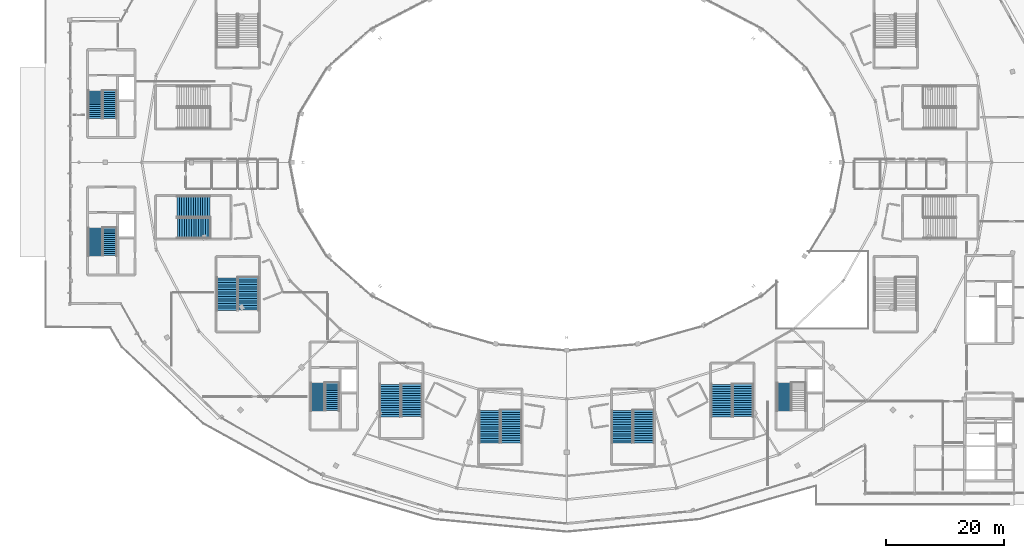
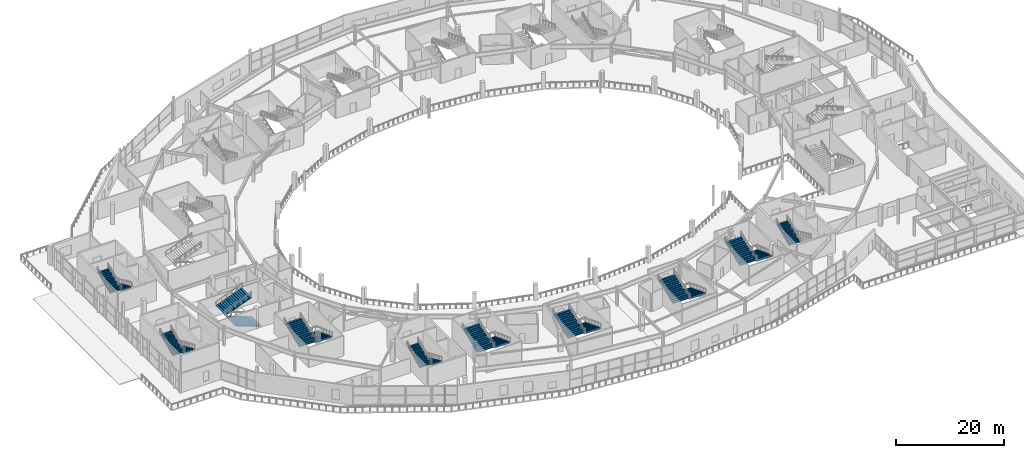
# One storey, part 95 of 123: 19 stair flights, 10 elements without a shape of their own.
"""IFC4 building model written with IfcOpenShell, lengths in metres."""

from ifc_helpers import new_model, si_unit, direction, frame, origin, place, context, subcontext, project, spatial, polyline, outline, extrude, material, type_object, element, aggregate, save


model = new_model("IFC4")

# Units and contexts
model_context = context("Model", 3, precision=1e-05, world=origin(), true_north=direction((0.0, 1.0)))
body_context = subcontext(model_context, "Body", "Model", "MODEL_VIEW")
ifc_project = project(units=[si_unit("LENGTHUNIT", "METRE"), si_unit("AREAUNIT", "SQUARE_METRE"), si_unit("VOLUMEUNIT", "CUBIC_METRE"), si_unit("PLANEANGLEUNIT", "RADIAN"), si_unit("MASSUNIT", "GRAM", prefix="KILO")], contexts=[model_context])

# Site, building, storey
site_placement = place(None, origin())
site = spatial("IfcSite", under=ifc_project, at=site_placement, CompositionType="ELEMENT")
building_placement = place(site_placement, origin())
building = spatial("IfcBuilding", under=site, at=building_placement, Name="Kalgoora Escarpment Arena", CompositionType="ELEMENT")
storey_placement = place(building_placement, frame((0.0, 0.0, 9.89990234375)))
storey = spatial("IfcBuildingStorey", under=building, at=storey_placement, Name="L02", CompositionType="ELEMENT", Elevation=9.89990234375)

# Stair, stair flights
ifc_material_1 = material(Name="Concrete N40 (fc' 40 MPa)", Category="concrete")
stair_type_1 = type_object("IfcStairType", Name="STR-EXIT-1", PredefinedType="HALF_TURN_STAIR", material=ifc_material_1)
stair_1_placement = place(storey_placement, origin())
stair_1 = element("IfcStair", 1, at=stair_1_placement, inside=storey, type_object=stair_type_1, Name="Fire-isolated exit stair ST01 (L02)", PredefinedType="HALF_TURN_STAIR")
ifc_material_2 = material(Name="Concrete N40 (fc' 40 MPa)", Category="concrete")
stair_flight_type_1 = type_object("IfcStairFlightType", Name="FLT-EXIT-1", PredefinedType="STRAIGHT", material=ifc_material_2)
stair_flight_1_placement = place(storey_placement, frame((15.159912109375, 76.1298828125, 0.0), z_axis=(0.0, 0.0, 1.0), x_axis=(0.0, -1.0, 0.0)))
stair_flight_1 = element("IfcStairFlight", 2, at=stair_flight_1_placement, type_object=stair_flight_type_1, Name="ST01 L02 lower flight", NumberOfRisers=15, NumberOfTreads=14, PredefinedType="STRAIGHT", RiserHeight=0.15, TreadLength=0.335, context=body_context, shape_type="SweptSolid", body=[
    extrude(outline(polyline([(0.0, 0.0), (0.0, 0.14990234375), (0.3349609375, 0.14990234375), (0.3349609375, 0.300048828125), (0.669921875, 0.300048828125), (0.669921875, 0.449951171875), (1.0048828125, 0.449951171875), (1.0048828125, 0.60009765625), (1.340087890625, 0.60009765625), (1.340087890625, 0.75), (1.675048828125, 0.75), (1.675048828125, 0.89990234375), (2.010009765625, 0.89990234375), (2.010009765625, 1.050048828125), (2.344970703125, 1.050048828125), (2.344970703125, 1.199951171875), (2.679931640625, 1.199951171875), (2.679931640625, 1.35009765625), (3.014892578125, 1.35009765625), (3.014892578125, 1.5), (3.35009765625, 1.5), (3.35009765625, 1.64990234375), (3.68505859375, 1.64990234375), (3.68505859375, 1.800048828125), (4.02001953125, 1.800048828125), (4.02001953125, 1.949951171875), (4.35498046875, 1.949951171875), (4.35498046875, 2.10009765625), (4.68994140625, 2.10009765625), (4.68994140625, 2.25), (4.68994140625, 1.913818359375), (0.415771484375, 0.0), (0.0, 0.0)])), frame((0.0, 1.18994140625, 0.0), z_axis=(0.0, -1.0, 0.0), x_axis=(1.0, 0.0, 0.0)), (0.0, 0.0, 1.0), 2.3798828125),
])
stair_flight_2_placement = place(storey_placement, frame((12.739990234375, 71.3798828125, 2.25), z_axis=(0.0, 0.0, 1.0), x_axis=(0.0, 1.0, 0.0)))
stair_flight_2 = element("IfcStairFlight", 3, at=stair_flight_2_placement, type_object=stair_flight_type_1, Name="ST01 L02 upper flight", NumberOfRisers=15, NumberOfTreads=14, PredefinedType="STRAIGHT", RiserHeight=0.15, TreadLength=0.335, context=body_context, shape_type="SweptSolid", body=[
    extrude(outline(polyline([(0.0, 0.0), (0.0, 0.14990234375), (0.3349609375, 0.14990234375), (0.3349609375, 0.300048828125), (0.669921875, 0.300048828125), (0.669921875, 0.449951171875), (1.0048828125, 0.449951171875), (1.0048828125, 0.60009765625), (1.340087890625, 0.60009765625), (1.340087890625, 0.75), (1.675048828125, 0.75), (1.675048828125, 0.89990234375), (2.010009765625, 0.89990234375), (2.010009765625, 1.050048828125), (2.344970703125, 1.050048828125), (2.344970703125, 1.199951171875), (2.679931640625, 1.199951171875), (2.679931640625, 1.35009765625), (3.014892578125, 1.35009765625), (3.014892578125, 1.5), (3.35009765625, 1.5), (3.35009765625, 1.64990234375), (3.68505859375, 1.64990234375), (3.68505859375, 1.800048828125), (4.02001953125, 1.800048828125), (4.02001953125, 1.949951171875), (4.35498046875, 1.949951171875), (4.35498046875, 2.10009765625), (4.68994140625, 2.10009765625), (4.68994140625, 2.25), (4.68994140625, 1.913818359375), (0.415771484375, 0.0), (0.0, 0.0)])), frame((0.0, 1.18994140625, 0.0), z_axis=(0.0, -1.0, 0.0), x_axis=(1.0, 0.0, 0.0)), (0.0, 0.0, 1.0), 2.3798828125),
])
aggregate(stair_1, [stair_flight_1, stair_flight_2])

stair_2_placement = place(storey_placement, origin())
stair_2 = element("IfcStair", 4, at=stair_2_placement, inside=storey, type_object=stair_type_1, Name="Fire-isolated exit stair ST05 (L02)", PredefinedType="HALF_TURN_STAIR")
stair_flight_3_placement = place(storey_placement, frame((52.760009765625, 26.72998046875, 0.0), z_axis=(0.0, 0.0, 1.0), x_axis=(0.0, -1.0, 0.0)))
stair_flight_3 = element("IfcStairFlight", 5, at=stair_flight_3_placement, type_object=stair_flight_type_1, Name="ST05 L02 lower flight", NumberOfRisers=15, NumberOfTreads=14, PredefinedType="STRAIGHT", RiserHeight=0.15, TreadLength=0.335, context=body_context, shape_type="SweptSolid", body=[
    extrude(outline(polyline([(0.0, 0.0), (0.0, 0.14990234375), (0.3349609375, 0.14990234375), (0.3349609375, 0.300048828125), (0.669921875, 0.300048828125), (0.669921875, 0.449951171875), (1.0048828125, 0.449951171875), (1.0048828125, 0.60009765625), (1.340087890625, 0.60009765625), (1.340087890625, 0.75), (1.675048828125, 0.75), (1.675048828125, 0.89990234375), (2.010009765625, 0.89990234375), (2.010009765625, 1.050048828125), (2.344970703125, 1.050048828125), (2.344970703125, 1.199951171875), (2.679931640625, 1.199951171875), (2.679931640625, 1.35009765625), (3.014892578125, 1.35009765625), (3.014892578125, 1.5), (3.35009765625, 1.5), (3.35009765625, 1.64990234375), (3.68505859375, 1.64990234375), (3.68505859375, 1.800048828125), (4.02001953125, 1.800048828125), (4.02001953125, 1.949951171875), (4.35498046875, 1.949951171875), (4.35498046875, 2.10009765625), (4.68994140625, 2.10009765625), (4.68994140625, 2.25), (4.68994140625, 1.913818359375), (0.415771484375, 0.0), (0.0, 0.0)])), frame((0.0, 1.18994140625, 0.0), z_axis=(0.0, -1.0, 0.0), x_axis=(1.0, 0.0, 0.0)), (0.0, 0.0, 1.0), 2.3798828125),
])
stair_flight_4_placement = place(storey_placement, frame((50.340087890625, 21.97998046875, 2.25), z_axis=(0.0, 0.0, 1.0), x_axis=(0.0, 1.0, 0.0)))
stair_flight_4 = element("IfcStairFlight", 6, at=stair_flight_4_placement, type_object=stair_flight_type_1, Name="ST05 L02 upper flight", NumberOfRisers=15, NumberOfTreads=14, PredefinedType="STRAIGHT", RiserHeight=0.15, TreadLength=0.335, context=body_context, shape_type="SweptSolid", body=[
    extrude(outline(polyline([(0.0, 0.0), (0.0, 0.14990234375), (0.3349609375, 0.14990234375), (0.3349609375, 0.300048828125), (0.669921875, 0.300048828125), (0.669921875, 0.449951171875), (1.0048828125, 0.449951171875), (1.0048828125, 0.60009765625), (1.340087890625, 0.60009765625), (1.340087890625, 0.75), (1.675048828125, 0.75), (1.675048828125, 0.89990234375), (2.010009765625, 0.89990234375), (2.010009765625, 1.050048828125), (2.344970703125, 1.050048828125), (2.344970703125, 1.199951171875), (2.679931640625, 1.199951171875), (2.679931640625, 1.35009765625), (3.014892578125, 1.35009765625), (3.014892578125, 1.5), (3.35009765625, 1.5), (3.35009765625, 1.64990234375), (3.68505859375, 1.64990234375), (3.68505859375, 1.800048828125), (4.02001953125, 1.800048828125), (4.02001953125, 1.949951171875), (4.35498046875, 1.949951171875), (4.35498046875, 2.10009765625), (4.68994140625, 2.10009765625), (4.68994140625, 2.25), (4.68994140625, 1.913818359375), (0.415771484375, 0.0), (0.0, 0.0)])), frame((0.0, 1.18994140625, 0.0), z_axis=(0.0, -1.0, 0.0), x_axis=(1.0, 0.0, 0.0)), (0.0, 0.0, 1.0), 2.3798828125),
])
aggregate(stair_2, [stair_flight_3, stair_flight_4])

ifc_material_3 = material(Name="Concrete N40 (fc' 40 MPa)", Category="concrete")
stair_type_2 = type_object("IfcStairType", Name="STR-EXIT-2", PredefinedType="HALF_TURN_STAIR", material=ifc_material_3)
stair_3_placement = place(storey_placement, origin())
stair_3 = element("IfcStair", 7, at=stair_3_placement, inside=storey, type_object=stair_type_2, Name="Fire-isolated exit stair ST02 (L02)", PredefinedType="HALF_TURN_STAIR")
ifc_material_4 = material(Name="Concrete N40 (fc' 40 MPa)", Category="concrete")
stair_flight_type_2 = type_object("IfcStairFlightType", Name="FLT-EXIT-2", PredefinedType="STRAIGHT", material=ifc_material_4)
stair_flight_5_placement = place(storey_placement, frame((15.157470703125, 52.929931640625, 0.0), z_axis=(0.0, 0.0, 1.0), x_axis=(0.0, -1.0, 0.0)))
stair_flight_5 = element("IfcStairFlight", 8, at=stair_flight_5_placement, type_object=stair_flight_type_2, Name="ST02 L02 lower flight", NumberOfRisers=15, NumberOfTreads=14, PredefinedType="STRAIGHT", RiserHeight=0.15, TreadLength=0.335, context=body_context, shape_type="SweptSolid", body=[
    extrude(outline(polyline([(0.0, 0.0), (0.0, 0.14990234375), (0.3349609375, 0.14990234375), (0.3349609375, 0.300048828125), (0.669921875, 0.300048828125), (0.669921875, 0.449951171875), (1.0048828125, 0.449951171875), (1.0048828125, 0.60009765625), (1.340087890625, 0.60009765625), (1.340087890625, 0.75), (1.675048828125, 0.75), (1.675048828125, 0.89990234375), (2.010009765625, 0.89990234375), (2.010009765625, 1.050048828125), (2.344970703125, 1.050048828125), (2.344970703125, 1.199951171875), (2.679931640625, 1.199951171875), (2.679931640625, 1.35009765625), (3.014892578125, 1.35009765625), (3.014892578125, 1.5), (3.35009765625, 1.5), (3.35009765625, 1.64990234375), (3.68505859375, 1.64990234375), (3.68505859375, 1.800048828125), (4.02001953125, 1.800048828125), (4.02001953125, 1.949951171875), (4.35498046875, 1.949951171875), (4.35498046875, 2.10009765625), (4.68994140625, 2.10009765625), (4.68994140625, 2.25), (4.68994140625, 1.913818359375), (0.415771484375, 0.0), (0.0, 0.0)])), frame((0.0, 1.1923828125, 0.0), z_axis=(0.0, -1.0, 0.0), x_axis=(1.0, 0.0, 0.0)), (0.0, 0.0, 1.0), 2.385009765625),
])
stair_flight_6_placement = place(storey_placement, frame((12.742431640625, 48.179931640625, 2.25), z_axis=(0.0, 0.0, 1.0), x_axis=(0.0, 1.0, 0.0)))
stair_flight_6 = element("IfcStairFlight", 9, at=stair_flight_6_placement, type_object=stair_flight_type_2, Name="ST02 L02 upper flight", NumberOfRisers=15, NumberOfTreads=14, PredefinedType="STRAIGHT", RiserHeight=0.15, TreadLength=0.335, context=body_context, shape_type="SweptSolid", body=[
    extrude(outline(polyline([(0.0, 0.0), (0.0, 0.14990234375), (0.3349609375, 0.14990234375), (0.3349609375, 0.300048828125), (0.669921875, 0.300048828125), (0.669921875, 0.449951171875), (1.0048828125, 0.449951171875), (1.0048828125, 0.60009765625), (1.340087890625, 0.60009765625), (1.340087890625, 0.75), (1.675048828125, 0.75), (1.675048828125, 0.89990234375), (2.010009765625, 0.89990234375), (2.010009765625, 1.050048828125), (2.344970703125, 1.050048828125), (2.344970703125, 1.199951171875), (2.679931640625, 1.199951171875), (2.679931640625, 1.35009765625), (3.014892578125, 1.35009765625), (3.014892578125, 1.5), (3.35009765625, 1.5), (3.35009765625, 1.64990234375), (3.68505859375, 1.64990234375), (3.68505859375, 1.800048828125), (4.02001953125, 1.800048828125), (4.02001953125, 1.949951171875), (4.35498046875, 1.949951171875), (4.35498046875, 2.10009765625), (4.68994140625, 2.10009765625), (4.68994140625, 2.25), (4.68994140625, 1.913818359375), (0.415771484375, 0.0), (0.0, 0.0)])), frame((0.0, 1.1923828125, 0.0), z_axis=(0.0, -1.0, 0.0), x_axis=(1.0, 0.0, 0.0)), (0.0, 0.0, 1.0), 2.385009765625),
])
aggregate(stair_3, [stair_flight_5, stair_flight_6])

# Stair, stair flight
stair_4_placement = place(storey_placement, origin())
stair_4 = element("IfcStair", 10, at=stair_4_placement, inside=storey, type_object=stair_type_2, Name="Fire-isolated exit stair ST06 (L02)", PredefinedType="HALF_TURN_STAIR")
stair_flight_7_placement = place(storey_placement, frame((129.142578125, 21.97998046875, 2.25), z_axis=(0.0, 0.0, 1.0), x_axis=(0.0, 1.0, 0.0)))
stair_flight_7 = element("IfcStairFlight", 11, at=stair_flight_7_placement, type_object=stair_flight_type_2, Name="ST06 L02 upper flight", NumberOfRisers=15, NumberOfTreads=14, PredefinedType="STRAIGHT", RiserHeight=0.15, TreadLength=0.335, context=body_context, shape_type="SweptSolid", body=[
    extrude(outline(polyline([(0.0, 0.0), (0.0, 0.14990234375), (0.3349609375, 0.14990234375), (0.3349609375, 0.300048828125), (0.669921875, 0.300048828125), (0.669921875, 0.449951171875), (1.0048828125, 0.449951171875), (1.0048828125, 0.60009765625), (1.340087890625, 0.60009765625), (1.340087890625, 0.75), (1.675048828125, 0.75), (1.675048828125, 0.89990234375), (2.010009765625, 0.89990234375), (2.010009765625, 1.050048828125), (2.344970703125, 1.050048828125), (2.344970703125, 1.199951171875), (2.679931640625, 1.199951171875), (2.679931640625, 1.35009765625), (3.014892578125, 1.35009765625), (3.014892578125, 1.5), (3.35009765625, 1.5), (3.35009765625, 1.64990234375), (3.68505859375, 1.64990234375), (3.68505859375, 1.800048828125), (4.02001953125, 1.800048828125), (4.02001953125, 1.949951171875), (4.35498046875, 1.949951171875), (4.35498046875, 2.10009765625), (4.68994140625, 2.10009765625), (4.68994140625, 2.25), (4.68994140625, 1.913818359375), (0.415771484375, 0.0), (0.0, 0.0)])), frame((0.0, 1.1923828125, 0.0), z_axis=(0.0, -1.0, 0.0), x_axis=(1.0, 0.0, 0.0)), (0.0, 0.0, 1.0), 2.385009765625),
])
aggregate(stair_4, [stair_flight_7])

# Stair, stair flights
ifc_material_5 = material(Name="Precast concrete N50 (fc' 50 MPa)", Category="concrete")
stair_type_3 = type_object("IfcStairType", Name="STR-STAD-1", PredefinedType="HALF_TURN_STAIR", material=ifc_material_5)
stair_5_placement = place(storey_placement, origin())
stair_5 = element("IfcStair", 12, at=stair_5_placement, inside=storey, type_object=stair_type_3, Name="Fire-isolated exit stair ST13 (L02)", PredefinedType="HALF_TURN_STAIR")
ifc_material_6 = material(Name="Precast concrete N50 (fc' 50 MPa)", Category="concrete")
stair_flight_type_3 = type_object("IfcStairFlightType", Name="FLT-STAD-1", PredefinedType="STRAIGHT", material=ifc_material_6)
stair_flight_8_placement = place(storey_placement, frame((66.20751953125, 26.530029296875, 0.0), z_axis=(0.0, 0.0, 1.0), x_axis=(0.0, -1.0, 0.0)))
stair_flight_8 = element("IfcStairFlight", 13, at=stair_flight_8_placement, type_object=stair_flight_type_3, Name="ST13 L02 lower flight", NumberOfRisers=15, NumberOfTreads=14, PredefinedType="STRAIGHT", RiserHeight=0.15, TreadLength=0.395, context=body_context, shape_type="SweptSolid", body=[
    extrude(outline(polyline([(0.0, 0.0), (0.0, 0.14990234375), (0.39501953125, 0.14990234375), (0.39501953125, 0.300048828125), (0.7900390625, 0.300048828125), (0.7900390625, 0.449951171875), (1.18505859375, 0.449951171875), (1.18505859375, 0.60009765625), (1.580078125, 0.60009765625), (1.580078125, 0.75), (1.97509765625, 0.75), (1.97509765625, 0.89990234375), (2.3701171875, 0.89990234375), (2.3701171875, 1.050048828125), (2.764892578125, 1.050048828125), (2.764892578125, 1.199951171875), (3.159912109375, 1.199951171875), (3.159912109375, 1.35009765625), (3.554931640625, 1.35009765625), (3.554931640625, 1.5), (3.949951171875, 1.5), (3.949951171875, 1.64990234375), (4.344970703125, 1.64990234375), (4.344970703125, 1.800048828125), (4.739990234375, 1.800048828125), (4.739990234375, 1.949951171875), (5.135009765625, 1.949951171875), (5.135009765625, 2.10009765625), (5.530029296875, 2.10009765625), (5.530029296875, 2.25), (5.530029296875, 1.918212890625), (0.478759765625, 0.0), (0.0, 0.0)])), frame((0.0, 1.74267578125, 0.0), z_axis=(0.0, -1.0, 0.0), x_axis=(1.0, 0.0, 0.0)), (0.0, 0.0, 1.0), 3.485107421875),
])
stair_flight_9_placement = place(storey_placement, frame((62.592529296875, 20.93994140625, 2.25), z_axis=(0.0, 0.0, 1.0), x_axis=(0.0, 1.0, 0.0)))
stair_flight_9 = element("IfcStairFlight", 14, at=stair_flight_9_placement, type_object=stair_flight_type_3, Name="ST13 L02 upper flight", NumberOfRisers=15, NumberOfTreads=14, PredefinedType="STRAIGHT", RiserHeight=0.15, TreadLength=0.395, context=body_context, shape_type="SweptSolid", body=[
    extrude(outline(polyline([(0.0, 0.0), (0.0, 0.14990234375), (0.39501953125, 0.14990234375), (0.39501953125, 0.300048828125), (0.7900390625, 0.300048828125), (0.7900390625, 0.449951171875), (1.18505859375, 0.449951171875), (1.18505859375, 0.60009765625), (1.580078125, 0.60009765625), (1.580078125, 0.75), (1.97509765625, 0.75), (1.97509765625, 0.89990234375), (2.3701171875, 0.89990234375), (2.3701171875, 1.050048828125), (2.764892578125, 1.050048828125), (2.764892578125, 1.199951171875), (3.159912109375, 1.199951171875), (3.159912109375, 1.35009765625), (3.554931640625, 1.35009765625), (3.554931640625, 1.5), (3.949951171875, 1.5), (3.949951171875, 1.64990234375), (4.344970703125, 1.64990234375), (4.344970703125, 1.800048828125), (4.739990234375, 1.800048828125), (4.739990234375, 1.949951171875), (5.135009765625, 1.949951171875), (5.135009765625, 2.10009765625), (5.530029296875, 2.10009765625), (5.530029296875, 2.25), (5.530029296875, 1.918212890625), (0.478759765625, 0.0), (0.0, 0.0)])), frame((0.0, 1.74267578125, 0.0), z_axis=(0.0, -1.0, 0.0), x_axis=(1.0, 0.0, 0.0)), (0.0, 0.0, 1.0), 3.485107421875),
])
aggregate(stair_5, [stair_flight_8, stair_flight_9])

ifc_material_7 = material(Name="Precast concrete N50 (fc' 50 MPa)", Category="concrete")
stair_type_4 = type_object("IfcStairType", Name="STR-STAD-2", PredefinedType="HALF_TURN_STAIR", material=ifc_material_7)
stair_6_placement = place(storey_placement, origin())
stair_6 = element("IfcStair", 15, at=stair_6_placement, inside=storey, type_object=stair_type_4, Name="Fire-isolated exit stair ST14 (L02)", PredefinedType="HALF_TURN_STAIR")
ifc_material_8 = material(Name="Precast concrete N50 (fc' 50 MPa)", Category="concrete")
stair_flight_type_4 = type_object("IfcStairFlightType", Name="FLT-STAD-2", PredefinedType="STRAIGHT", material=ifc_material_8)
stair_flight_10_placement = place(storey_placement, frame((83.0048828125, 22.1298828125, 0.0), z_axis=(0.0, 0.0, 1.0), x_axis=(0.0, -1.0, 0.0)))
stair_flight_10 = element("IfcStairFlight", 16, at=stair_flight_10_placement, type_object=stair_flight_type_4, Name="ST14 L02 lower flight", NumberOfRisers=15, NumberOfTreads=14, PredefinedType="STRAIGHT", RiserHeight=0.15, TreadLength=0.395, context=body_context, shape_type="SweptSolid", body=[
    extrude(outline(polyline([(0.0, 0.0), (0.0, 0.14990234375), (0.39501953125, 0.14990234375), (0.39501953125, 0.300048828125), (0.7900390625, 0.300048828125), (0.7900390625, 0.449951171875), (1.18505859375, 0.449951171875), (1.18505859375, 0.60009765625), (1.580078125, 0.60009765625), (1.580078125, 0.75), (1.97509765625, 0.75), (1.97509765625, 0.89990234375), (2.3701171875, 0.89990234375), (2.3701171875, 1.050048828125), (2.764892578125, 1.050048828125), (2.764892578125, 1.199951171875), (3.159912109375, 1.199951171875), (3.159912109375, 1.35009765625), (3.554931640625, 1.35009765625), (3.554931640625, 1.5), (3.949951171875, 1.5), (3.949951171875, 1.64990234375), (4.344970703125, 1.64990234375), (4.344970703125, 1.800048828125), (4.739990234375, 1.800048828125), (4.739990234375, 1.949951171875), (5.135009765625, 1.949951171875), (5.135009765625, 2.10009765625), (5.530029296875, 2.10009765625), (5.530029296875, 2.25), (5.530029296875, 1.918212890625), (0.478759765625, 0.0), (0.0, 0.0)])), frame((0.0, 1.7451171875, 0.0), z_axis=(0.0, -1.0, 0.0), x_axis=(1.0, 0.0, 0.0)), (0.0, 0.0, 1.0), 3.489990234375),
])
stair_flight_11_placement = place(storey_placement, frame((79.39501953125, 16.5400390625, 2.25), z_axis=(0.0, 0.0, 1.0), x_axis=(0.0, 1.0, 0.0)))
stair_flight_11 = element("IfcStairFlight", 17, at=stair_flight_11_placement, type_object=stair_flight_type_4, Name="ST14 L02 upper flight", NumberOfRisers=15, NumberOfTreads=14, PredefinedType="STRAIGHT", RiserHeight=0.15, TreadLength=0.395, context=body_context, shape_type="SweptSolid", body=[
    extrude(outline(polyline([(0.0, 0.0), (0.0, 0.14990234375), (0.39501953125, 0.14990234375), (0.39501953125, 0.300048828125), (0.7900390625, 0.300048828125), (0.7900390625, 0.449951171875), (1.18505859375, 0.449951171875), (1.18505859375, 0.60009765625), (1.580078125, 0.60009765625), (1.580078125, 0.75), (1.97509765625, 0.75), (1.97509765625, 0.89990234375), (2.3701171875, 0.89990234375), (2.3701171875, 1.050048828125), (2.764892578125, 1.050048828125), (2.764892578125, 1.199951171875), (3.159912109375, 1.199951171875), (3.159912109375, 1.35009765625), (3.554931640625, 1.35009765625), (3.554931640625, 1.5), (3.949951171875, 1.5), (3.949951171875, 1.64990234375), (4.344970703125, 1.64990234375), (4.344970703125, 1.800048828125), (4.739990234375, 1.800048828125), (4.739990234375, 1.949951171875), (5.135009765625, 1.949951171875), (5.135009765625, 2.10009765625), (5.530029296875, 2.10009765625), (5.530029296875, 2.25), (5.530029296875, 1.918212890625), (0.478759765625, 0.0), (0.0, 0.0)])), frame((0.0, 1.7451171875, 0.0), z_axis=(0.0, -1.0, 0.0), x_axis=(1.0, 0.0, 0.0)), (0.0, 0.0, 1.0), 3.489990234375),
])
aggregate(stair_6, [stair_flight_10, stair_flight_11])

stair_7_placement = place(storey_placement, origin())
stair_7 = element("IfcStair", 18, at=stair_7_placement, inside=storey, type_object=stair_type_4, Name="Fire-isolated exit stair ST18 (L02)", PredefinedType="HALF_TURN_STAIR")
stair_flight_12_placement = place(storey_placement, frame((32.1298828125, 52.89501953125, 0.0), z_axis=(0.0, 0.0, 1.0), x_axis=(-1.0, 0.0, 0.0)))
stair_flight_12 = element("IfcStairFlight", 19, at=stair_flight_12_placement, type_object=stair_flight_type_4, Name="ST18 L02 lower flight", NumberOfRisers=15, NumberOfTreads=14, PredefinedType="STRAIGHT", RiserHeight=0.15, TreadLength=0.395, context=body_context, shape_type="SweptSolid", body=[
    extrude(outline(polyline([(0.0, 0.0), (0.0, 0.14990234375), (0.39501953125, 0.14990234375), (0.39501953125, 0.300048828125), (0.7900390625, 0.300048828125), (0.7900390625, 0.449951171875), (1.18505859375, 0.449951171875), (1.18505859375, 0.60009765625), (1.580078125, 0.60009765625), (1.580078125, 0.75), (1.97509765625, 0.75), (1.97509765625, 0.89990234375), (2.3701171875, 0.89990234375), (2.3701171875, 1.050048828125), (2.764892578125, 1.050048828125), (2.764892578125, 1.199951171875), (3.159912109375, 1.199951171875), (3.159912109375, 1.35009765625), (3.554931640625, 1.35009765625), (3.554931640625, 1.5), (3.949951171875, 1.5), (3.949951171875, 1.64990234375), (4.344970703125, 1.64990234375), (4.344970703125, 1.800048828125), (4.739990234375, 1.800048828125), (4.739990234375, 1.949951171875), (5.135009765625, 1.949951171875), (5.135009765625, 2.10009765625), (5.530029296875, 2.10009765625), (5.530029296875, 2.25), (5.530029296875, 1.918212890625), (0.478759765625, 0.0), (0.0, 0.0)])), frame((0.0, 1.7451171875, 0.0), z_axis=(0.0, -1.0, 0.0), x_axis=(1.0, 0.0, 0.0)), (0.0, 0.0, 1.0), 3.489990234375),
])
stair_flight_13_placement = place(storey_placement, frame((26.5400390625, 56.5048828125, 2.25), z_axis=(0.0, 0.0, 1.0), x_axis=(1.0, 0.0, 0.0)))
stair_flight_13 = element("IfcStairFlight", 20, at=stair_flight_13_placement, type_object=stair_flight_type_4, Name="ST18 L02 upper flight", NumberOfRisers=15, NumberOfTreads=14, PredefinedType="STRAIGHT", RiserHeight=0.15, TreadLength=0.395, context=body_context, shape_type="SweptSolid", body=[
    extrude(outline(polyline([(0.0, 0.0), (0.0, 0.14990234375), (0.39501953125, 0.14990234375), (0.39501953125, 0.300048828125), (0.7900390625, 0.300048828125), (0.7900390625, 0.449951171875), (1.18505859375, 0.449951171875), (1.18505859375, 0.60009765625), (1.580078125, 0.60009765625), (1.580078125, 0.75), (1.97509765625, 0.75), (1.97509765625, 0.89990234375), (2.3701171875, 0.89990234375), (2.3701171875, 1.050048828125), (2.764892578125, 1.050048828125), (2.764892578125, 1.199951171875), (3.159912109375, 1.199951171875), (3.159912109375, 1.35009765625), (3.554931640625, 1.35009765625), (3.554931640625, 1.5), (3.949951171875, 1.5), (3.949951171875, 1.64990234375), (4.344970703125, 1.64990234375), (4.344970703125, 1.800048828125), (4.739990234375, 1.800048828125), (4.739990234375, 1.949951171875), (5.135009765625, 1.949951171875), (5.135009765625, 2.10009765625), (5.530029296875, 2.10009765625), (5.530029296875, 2.25), (5.530029296875, 1.918212890625), (0.478759765625, 0.0), (0.0, 0.0)])), frame((0.0, 1.7451171875, 0.0), z_axis=(0.0, -1.0, 0.0), x_axis=(1.0, 0.0, 0.0)), (0.0, 0.0, 1.0), 3.489990234375),
])
aggregate(stair_7, [stair_flight_12, stair_flight_13])

ifc_material_9 = material(Name="Precast concrete N50 (fc' 50 MPa)", Category="concrete")
stair_type_5 = type_object("IfcStairType", Name="STR-STAD-3", PredefinedType="HALF_TURN_STAIR", material=ifc_material_9)
stair_8_placement = place(storey_placement, origin())
stair_8 = element("IfcStair", 21, at=stair_8_placement, inside=storey, type_object=stair_type_5, Name="Fire-isolated exit stair ST15 (L02)", PredefinedType="HALF_TURN_STAIR")
ifc_material_10 = material(Name="Precast concrete N50 (fc' 50 MPa)", Category="concrete")
stair_flight_type_5 = type_object("IfcStairFlightType", Name="FLT-STAD-3", PredefinedType="STRAIGHT", material=ifc_material_10)
stair_flight_14_placement = place(storey_placement, frame((105.402587890625, 22.1298828125, 0.0), z_axis=(0.0, 0.0, 1.0), x_axis=(0.0, -1.0, 0.0)))
stair_flight_14 = element("IfcStairFlight", 22, at=stair_flight_14_placement, type_object=stair_flight_type_5, Name="ST15 L02 lower flight", NumberOfRisers=15, NumberOfTreads=14, PredefinedType="STRAIGHT", RiserHeight=0.15, TreadLength=0.395, context=body_context, shape_type="SweptSolid", body=[
    extrude(outline(polyline([(0.0, 0.0), (0.0, 0.14990234375), (0.39501953125, 0.14990234375), (0.39501953125, 0.300048828125), (0.7900390625, 0.300048828125), (0.7900390625, 0.449951171875), (1.18505859375, 0.449951171875), (1.18505859375, 0.60009765625), (1.580078125, 0.60009765625), (1.580078125, 0.75), (1.97509765625, 0.75), (1.97509765625, 0.89990234375), (2.3701171875, 0.89990234375), (2.3701171875, 1.050048828125), (2.764892578125, 1.050048828125), (2.764892578125, 1.199951171875), (3.159912109375, 1.199951171875), (3.159912109375, 1.35009765625), (3.554931640625, 1.35009765625), (3.554931640625, 1.5), (3.949951171875, 1.5), (3.949951171875, 1.64990234375), (4.344970703125, 1.64990234375), (4.344970703125, 1.800048828125), (4.739990234375, 1.800048828125), (4.739990234375, 1.949951171875), (5.135009765625, 1.949951171875), (5.135009765625, 2.10009765625), (5.530029296875, 2.10009765625), (5.530029296875, 2.25), (5.530029296875, 1.918212890625), (0.478759765625, 0.0), (0.0, 0.0)])), frame((0.0, 1.74755859375, 0.0), z_axis=(0.0, -1.0, 0.0), x_axis=(1.0, 0.0, 0.0)), (0.0, 0.0, 1.0), 3.4951171875),
])
stair_flight_15_placement = place(storey_placement, frame((101.797607421875, 16.5400390625, 2.25), z_axis=(0.0, 0.0, 1.0), x_axis=(0.0, 1.0, 0.0)))
stair_flight_15 = element("IfcStairFlight", 23, at=stair_flight_15_placement, type_object=stair_flight_type_5, Name="ST15 L02 upper flight", NumberOfRisers=15, NumberOfTreads=14, PredefinedType="STRAIGHT", RiserHeight=0.15, TreadLength=0.395, context=body_context, shape_type="SweptSolid", body=[
    extrude(outline(polyline([(0.0, 0.0), (0.0, 0.14990234375), (0.39501953125, 0.14990234375), (0.39501953125, 0.300048828125), (0.7900390625, 0.300048828125), (0.7900390625, 0.449951171875), (1.18505859375, 0.449951171875), (1.18505859375, 0.60009765625), (1.580078125, 0.60009765625), (1.580078125, 0.75), (1.97509765625, 0.75), (1.97509765625, 0.89990234375), (2.3701171875, 0.89990234375), (2.3701171875, 1.050048828125), (2.764892578125, 1.050048828125), (2.764892578125, 1.199951171875), (3.159912109375, 1.199951171875), (3.159912109375, 1.35009765625), (3.554931640625, 1.35009765625), (3.554931640625, 1.5), (3.949951171875, 1.5), (3.949951171875, 1.64990234375), (4.344970703125, 1.64990234375), (4.344970703125, 1.800048828125), (4.739990234375, 1.800048828125), (4.739990234375, 1.949951171875), (5.135009765625, 1.949951171875), (5.135009765625, 2.10009765625), (5.530029296875, 2.10009765625), (5.530029296875, 2.25), (5.530029296875, 1.918212890625), (0.478759765625, 0.0), (0.0, 0.0)])), frame((0.0, 1.74755859375, 0.0), z_axis=(0.0, -1.0, 0.0), x_axis=(1.0, 0.0, 0.0)), (0.0, 0.0, 1.0), 3.4951171875),
])
aggregate(stair_8, [stair_flight_14, stair_flight_15])

ifc_material_11 = material(Name="Precast concrete N50 (fc' 50 MPa)", Category="concrete")
stair_type_6 = type_object("IfcStairType", Name="STR-STAD-4", PredefinedType="HALF_TURN_STAIR", material=ifc_material_11)
stair_9_placement = place(storey_placement, origin())
stair_9 = element("IfcStair", 24, at=stair_9_placement, inside=storey, type_object=stair_type_6, Name="Fire-isolated exit stair ST16 (L02)", PredefinedType="HALF_TURN_STAIR")
ifc_material_12 = material(Name="Precast concrete N50 (fc' 50 MPa)", Category="concrete")
stair_flight_type_6 = type_object("IfcStairFlightType", Name="FLT-STAD-4", PredefinedType="STRAIGHT", material=ifc_material_12)
stair_flight_16_placement = place(storey_placement, frame((122.199951171875, 26.530029296875, 0.0), z_axis=(0.0, 0.0, 1.0), x_axis=(0.0, -1.0, 0.0)))
stair_flight_16 = element("IfcStairFlight", 25, at=stair_flight_16_placement, type_object=stair_flight_type_6, Name="ST16 L02 lower flight", NumberOfRisers=15, NumberOfTreads=14, PredefinedType="STRAIGHT", RiserHeight=0.15, TreadLength=0.395, context=body_context, shape_type="SweptSolid", body=[
    extrude(outline(polyline([(0.0, 0.0), (0.0, 0.14990234375), (0.39501953125, 0.14990234375), (0.39501953125, 0.300048828125), (0.7900390625, 0.300048828125), (0.7900390625, 0.449951171875), (1.18505859375, 0.449951171875), (1.18505859375, 0.60009765625), (1.580078125, 0.60009765625), (1.580078125, 0.75), (1.97509765625, 0.75), (1.97509765625, 0.89990234375), (2.3701171875, 0.89990234375), (2.3701171875, 1.050048828125), (2.764892578125, 1.050048828125), (2.764892578125, 1.199951171875), (3.159912109375, 1.199951171875), (3.159912109375, 1.35009765625), (3.554931640625, 1.35009765625), (3.554931640625, 1.5), (3.949951171875, 1.5), (3.949951171875, 1.64990234375), (4.344970703125, 1.64990234375), (4.344970703125, 1.800048828125), (4.739990234375, 1.800048828125), (4.739990234375, 1.949951171875), (5.135009765625, 1.949951171875), (5.135009765625, 2.10009765625), (5.530029296875, 2.10009765625), (5.530029296875, 2.25), (5.530029296875, 1.918212890625), (0.478759765625, 0.0), (0.0, 0.0)])), frame((0.0, 1.75, 0.0), z_axis=(0.0, -1.0, 0.0), x_axis=(1.0, 0.0, 0.0)), (0.0, 0.0, 1.0), 3.5),
])
stair_flight_17_placement = place(storey_placement, frame((118.60009765625, 20.93994140625, 2.25), z_axis=(0.0, 0.0, 1.0), x_axis=(0.0, 1.0, 0.0)))
stair_flight_17 = element("IfcStairFlight", 26, at=stair_flight_17_placement, type_object=stair_flight_type_6, Name="ST16 L02 upper flight", NumberOfRisers=15, NumberOfTreads=14, PredefinedType="STRAIGHT", RiserHeight=0.15, TreadLength=0.395, context=body_context, shape_type="SweptSolid", body=[
    extrude(outline(polyline([(0.0, 0.0), (0.0, 0.14990234375), (0.39501953125, 0.14990234375), (0.39501953125, 0.300048828125), (0.7900390625, 0.300048828125), (0.7900390625, 0.449951171875), (1.18505859375, 0.449951171875), (1.18505859375, 0.60009765625), (1.580078125, 0.60009765625), (1.580078125, 0.75), (1.97509765625, 0.75), (1.97509765625, 0.89990234375), (2.3701171875, 0.89990234375), (2.3701171875, 1.050048828125), (2.764892578125, 1.050048828125), (2.764892578125, 1.199951171875), (3.159912109375, 1.199951171875), (3.159912109375, 1.35009765625), (3.554931640625, 1.35009765625), (3.554931640625, 1.5), (3.949951171875, 1.5), (3.949951171875, 1.64990234375), (4.344970703125, 1.64990234375), (4.344970703125, 1.800048828125), (4.739990234375, 1.800048828125), (4.739990234375, 1.949951171875), (5.135009765625, 1.949951171875), (5.135009765625, 2.10009765625), (5.530029296875, 2.10009765625), (5.530029296875, 2.25), (5.530029296875, 1.918212890625), (0.478759765625, 0.0), (0.0, 0.0)])), frame((0.0, 1.75, 0.0), z_axis=(0.0, -1.0, 0.0), x_axis=(1.0, 0.0, 0.0)), (0.0, 0.0, 1.0), 3.5),
])
aggregate(stair_9, [stair_flight_16, stair_flight_17])

stair_10_placement = place(storey_placement, origin())
stair_10 = element("IfcStair", 27, at=stair_10_placement, inside=storey, type_object=stair_type_6, Name="Fire-isolated exit stair ST20 (L02)", PredefinedType="HALF_TURN_STAIR")
stair_flight_18_placement = place(storey_placement, frame((38.60009765625, 44.530029296875, 0.0), z_axis=(0.0, 0.0, 1.0), x_axis=(0.0, -1.0, 0.0)))
stair_flight_18 = element("IfcStairFlight", 28, at=stair_flight_18_placement, type_object=stair_flight_type_6, Name="ST20 L02 lower flight", NumberOfRisers=15, NumberOfTreads=14, PredefinedType="STRAIGHT", RiserHeight=0.15, TreadLength=0.395, context=body_context, shape_type="SweptSolid", body=[
    extrude(outline(polyline([(0.0, 0.0), (0.0, 0.14990234375), (0.39501953125, 0.14990234375), (0.39501953125, 0.300048828125), (0.7900390625, 0.300048828125), (0.7900390625, 0.449951171875), (1.18505859375, 0.449951171875), (1.18505859375, 0.60009765625), (1.580078125, 0.60009765625), (1.580078125, 0.75), (1.97509765625, 0.75), (1.97509765625, 0.89990234375), (2.3701171875, 0.89990234375), (2.3701171875, 1.050048828125), (2.764892578125, 1.050048828125), (2.764892578125, 1.199951171875), (3.159912109375, 1.199951171875), (3.159912109375, 1.35009765625), (3.554931640625, 1.35009765625), (3.554931640625, 1.5), (3.949951171875, 1.5), (3.949951171875, 1.64990234375), (4.344970703125, 1.64990234375), (4.344970703125, 1.800048828125), (4.739990234375, 1.800048828125), (4.739990234375, 1.949951171875), (5.135009765625, 1.949951171875), (5.135009765625, 2.10009765625), (5.530029296875, 2.10009765625), (5.530029296875, 2.25), (5.530029296875, 1.918212890625), (0.478759765625, 0.0), (0.0, 0.0)])), frame((0.0, 1.75, 0.0), z_axis=(0.0, -1.0, 0.0), x_axis=(1.0, 0.0, 0.0)), (0.0, 0.0, 1.0), 3.5),
])
stair_flight_19_placement = place(storey_placement, frame((35.0, 38.93994140625, 2.25), z_axis=(0.0, 0.0, 1.0), x_axis=(0.0, 1.0, 0.0)))
stair_flight_19 = element("IfcStairFlight", 29, at=stair_flight_19_placement, type_object=stair_flight_type_6, Name="ST20 L02 upper flight", NumberOfRisers=15, NumberOfTreads=14, PredefinedType="STRAIGHT", RiserHeight=0.15, TreadLength=0.395, context=body_context, shape_type="SweptSolid", body=[
    extrude(outline(polyline([(0.0, 0.0), (0.0, 0.14990234375), (0.39501953125, 0.14990234375), (0.39501953125, 0.300048828125), (0.7900390625, 0.300048828125), (0.7900390625, 0.449951171875), (1.18505859375, 0.449951171875), (1.18505859375, 0.60009765625), (1.580078125, 0.60009765625), (1.580078125, 0.75), (1.97509765625, 0.75), (1.97509765625, 0.89990234375), (2.3701171875, 0.89990234375), (2.3701171875, 1.050048828125), (2.764892578125, 1.050048828125), (2.764892578125, 1.199951171875), (3.159912109375, 1.199951171875), (3.159912109375, 1.35009765625), (3.554931640625, 1.35009765625), (3.554931640625, 1.5), (3.949951171875, 1.5), (3.949951171875, 1.64990234375), (4.344970703125, 1.64990234375), (4.344970703125, 1.800048828125), (4.739990234375, 1.800048828125), (4.739990234375, 1.949951171875), (5.135009765625, 1.949951171875), (5.135009765625, 2.10009765625), (5.530029296875, 2.10009765625), (5.530029296875, 2.25), (5.530029296875, 1.918212890625), (0.478759765625, 0.0), (0.0, 0.0)])), frame((0.0, 1.75, 0.0), z_axis=(0.0, -1.0, 0.0), x_axis=(1.0, 0.0, 0.0)), (0.0, 0.0, 1.0), 3.5),
])
aggregate(stair_10, [stair_flight_18, stair_flight_19])

save(model, "model.ifc")
